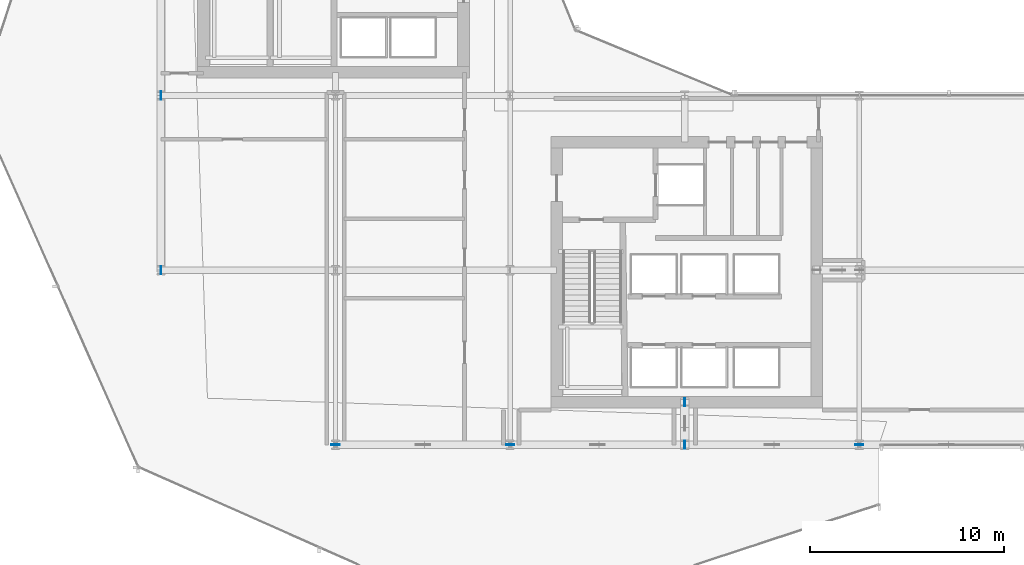
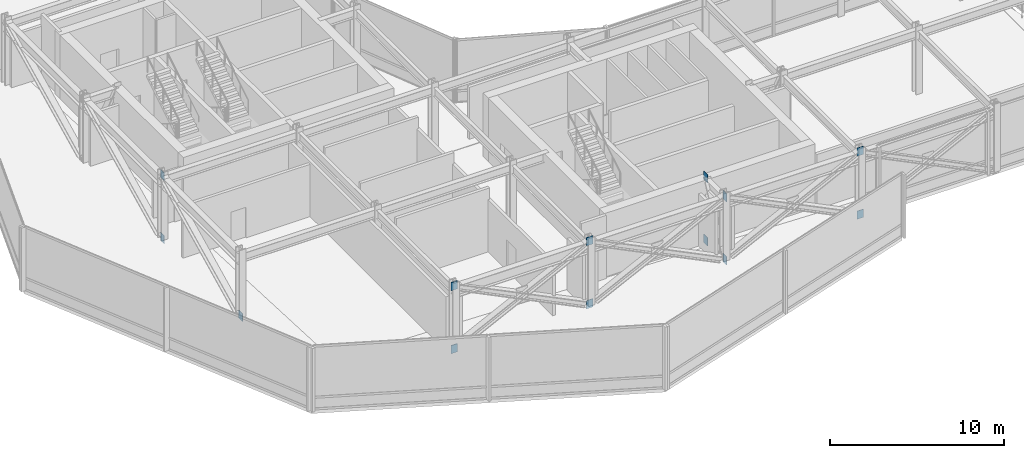
# One storey, part 32 of 42: 13 plates.
"""IFC4 building model written with IfcOpenShell, lengths in metres."""

from ifc_helpers import new_model, si_unit, direction, frame, origin, origin_2d, place, context, subcontext, project, spatial, rectangle, extrude, material, layer, layer_set, type_object, element, save


model = new_model("IFC4")

# Units and contexts
model_context = context("Model", 3, precision=1e-05, world=origin(), true_north=direction((0.0, 1.0)))
body_context = subcontext(model_context, "Body", "Model", "MODEL_VIEW")
ifc_project = project(units=[si_unit("LENGTHUNIT", "METRE"), si_unit("AREAUNIT", "SQUARE_METRE"), si_unit("VOLUMEUNIT", "CUBIC_METRE"), si_unit("PLANEANGLEUNIT", "RADIAN"), si_unit("MASSUNIT", "GRAM", prefix="KILO")], contexts=[model_context])

# Site, building, storey
site_placement = place(None, origin())
site = spatial("IfcSite", under=ifc_project, at=site_placement, CompositionType="ELEMENT")
building_placement = place(site_placement, origin())
building = spatial("IfcBuilding", under=site, at=building_placement, Name="Solvaryn Broadcast Tower", CompositionType="ELEMENT")
storey_placement = place(building_placement, frame((0.0, 0.0, 100.199951171875)))
storey = spatial("IfcBuildingStorey", under=building, at=storey_placement, Name="L24", CompositionType="ELEMENT", Elevation=100.199951171875)

# Plates
ifc_material = material(Name="Steel ASTM A572 Grade 50", Category="steel")
ifc_layer = layer(ifc_material, 0.031982421875)
ifc_layer_set = layer_set([ifc_layer], Name="PL-ENDCAP-32")
plate_type = type_object("IfcPlateType", Name="PL-ENDCAP-32", PredefinedType="USERDEFINED", material=ifc_layer_set)
for number, where, z_axis, x_axis, name in (
    (1, (36.0, 11.199951171875, -0.27001953125), (0.0, 0.0, 1.0), (1.0, 0.0, 0.0), "L24 Outrigger X-Brace S Continuous Diagonal End Plate A"),
    (2, (36.0, 9.0, 4.159912109375), (0.0, 0.0, 1.0), (1.0, 0.0, 0.0), "L24 Outrigger X-Brace S Continuous Diagonal End Plate B"),
    (3, (36.0, 11.199951171875, 4.159912109375), (0.0, 0.0, 1.0), (1.0, 0.0, 0.0), "L24 Outrigger X-Brace S End Plate 2A"),
    (4, (36.0, 9.0, -0.27001953125), (0.0, 0.0, 1.0), (1.0, 0.0, 0.0), "L24 Outrigger X-Brace S End Plate 2B"),
):
    element("IfcPlate", number, at=place(storey_placement, frame(where, z_axis=z_axis, x_axis=x_axis)), inside=storey, type_object=plate_type, Name=name, ObjectType="FLANGE_PLATE", PredefinedType="USERDEFINED", context=body_context, shape_type="SweptSolid", body=[
        extrude(rectangle(XDim=0.031982421875, YDim=0.419921875, at=origin_2d()), origin(), (0.0, 0.0, 1.0), 0.580078125),
    ])
for number, where, z_axis, x_axis, name in (
    (5, (18.0, 9.0, -0.27001953125), (0.0, 0.0, 1.0), (1.0, 0.0, 0.0), "L24 South Belt X-Brace 3 Continuous Diagonal End Plate A"),
    (6, (27.0, 9.0, 4.159912109375), (0.0, 0.0, 1.0), (1.0, 0.0, 0.0), "L24 South Belt X-Brace 3 Continuous Diagonal End Plate B"),
    (7, (27.0, 9.0, -0.27001953125), (0.0, 0.0, 1.0), (1.0, 0.0, 0.0), "L24 South Belt X-Brace 3 End Plate 2A"),
    (8, (18.0, 9.0, 4.159912109375), (0.0, 0.0, 1.0), (1.0, 0.0, 0.0), "L24 South Belt X-Brace 3 End Plate 2B"),
    (9, (45.0, 9.0, 4.159912109375), (0.0, 0.0, 1.0), (1.0, 0.0, 0.0), "L24 South Belt X-Brace 5 Continuous Diagonal End Plate B"),
    (10, (45.0, 9.0, -0.27001953125), (0.0, 0.0, 1.0), (1.0, 0.0, 0.0), "L24 South Belt X-Brace 5 End Plate 2A"),
):
    element("IfcPlate", number, at=place(storey_placement, frame(where, z_axis=z_axis, x_axis=x_axis)), inside=storey, type_object=plate_type, Name=name, ObjectType="FLANGE_PLATE", PredefinedType="USERDEFINED", context=body_context, shape_type="SweptSolid", body=[
        extrude(rectangle(XDim=0.419921875, YDim=0.031982421875, at=origin_2d()), origin(), (0.0, 0.0, 1.0), 0.580078125),
    ])
for number, where, z_axis, x_axis, name in (
    (11, (9.0, 18.0, -0.27001953125), (0.0, 0.0, 1.0), (1.0, 0.0, 0.0), "L24 West Belt Diagonal 3 End Plate A"),
    (12, (9.0, 27.0, 4.159912109375), (0.0, 0.0, 1.0), (1.0, 0.0, 0.0), "L24 West Belt Diagonal 3 End Plate B"),
    (13, (9.0, 27.0, -0.27001953125), (0.0, 0.0, 1.0), (1.0, 0.0, 0.0), "L24 West Belt Diagonal 4 End Plate A"),
):
    element("IfcPlate", number, at=place(storey_placement, frame(where, z_axis=z_axis, x_axis=x_axis)), inside=storey, type_object=plate_type, Name=name, ObjectType="FLANGE_PLATE", PredefinedType="USERDEFINED", context=body_context, shape_type="SweptSolid", body=[
        extrude(rectangle(XDim=0.031982421875, YDim=0.419921875, at=origin_2d()), origin(), (0.0, 0.0, 1.0), 0.580078125),
    ])

save(model, "model.ifc")
